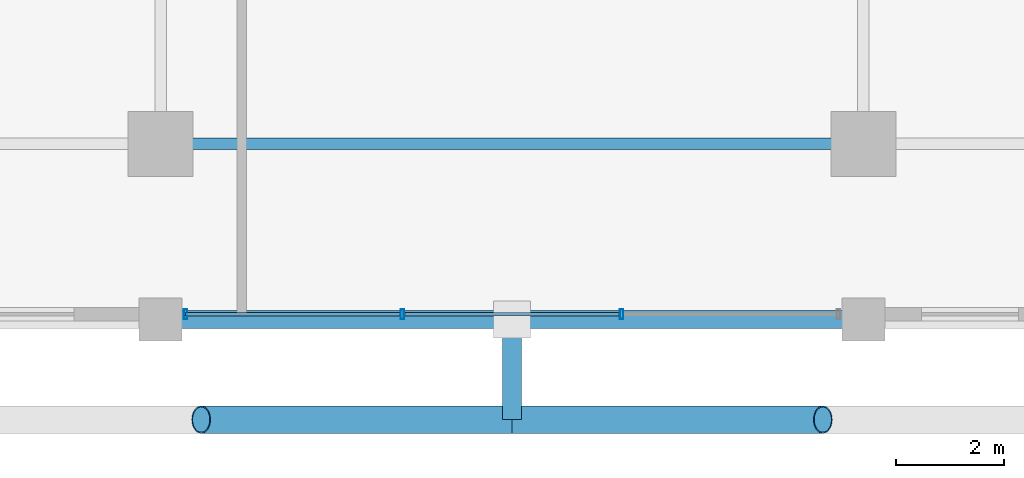
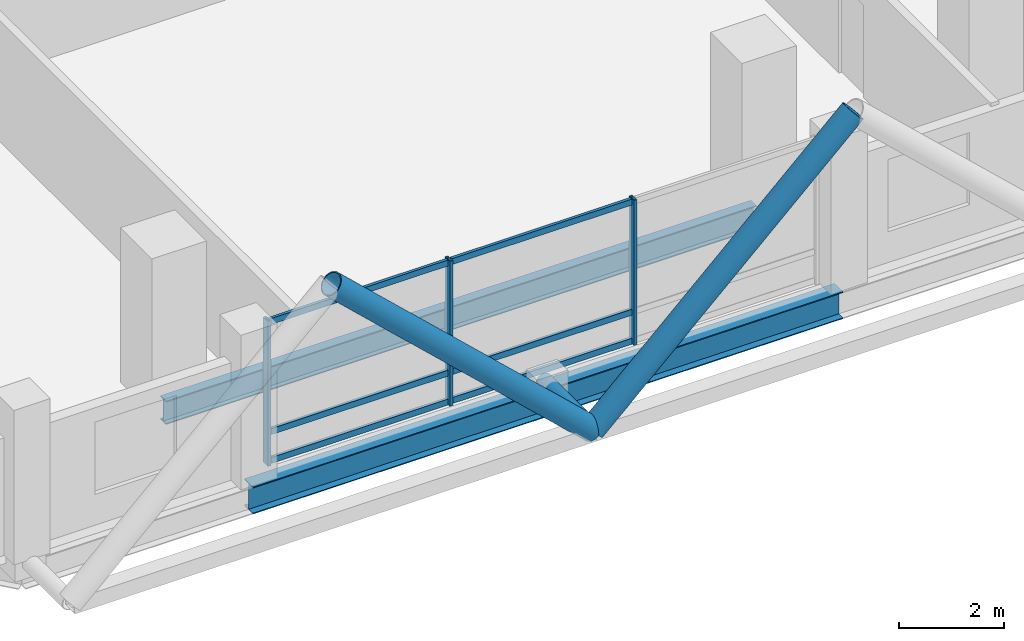
# One storey, part 2 of 24: 12 members, 2 beams, 1 element without a shape of its own.
"""IFC4 building model written with IfcOpenShell, lengths in metres."""

from ifc_helpers import new_model, si_unit, direction, frame, origin, origin_2d, place, context, subcontext, project, spatial, hollow_rectangle, hollow_circle, i_section, extrude, material, layer, layer_set, material_profile, profile_set, type_object, element, aggregate, save


model = new_model("IFC4")

# Units and contexts
model_context = context("Model", 3, precision=1e-05, world=origin(), true_north=direction((0.0, 1.0)))
body_context = subcontext(model_context, "Body", "Model", "MODEL_VIEW")
ifc_project = project(units=[si_unit("LENGTHUNIT", "METRE"), si_unit("AREAUNIT", "SQUARE_METRE"), si_unit("VOLUMEUNIT", "CUBIC_METRE"), si_unit("PLANEANGLEUNIT", "RADIAN"), si_unit("MASSUNIT", "GRAM", prefix="KILO")], contexts=[model_context])

# Site, building, storey
site_placement = place(None, origin())
site = spatial("IfcSite", under=ifc_project, at=site_placement, CompositionType="ELEMENT")
building_placement = place(site_placement, origin())
building = spatial("IfcBuilding", under=site, at=building_placement, Name="Barlavira Tower and Art Museum", CompositionType="ELEMENT")
storey_placement = place(building_placement, frame((0.0, 0.0, 109.800048828125)))
storey = spatial("IfcBuildingStorey", under=building, at=storey_placement, Name="L27", CompositionType="ELEMENT", Elevation=109.800048828125)

# Curtain wall, members
ifc_material_1 = material(Name="Low-iron coastal laminated glass", Category="glass")
ifc_layer = layer(ifc_material_1, 0.18994140625, Name="Low-iron coastal laminated glass")
ifc_layer_set = layer_set([ifc_layer], Name="Low-iron coastal laminated glass")
curtain_wall_type = type_object("IfcCurtainWallType", Name="Pale-Metal Unitised Curtain Wall Zone 2", PredefinedType="NOTDEFINED", material=ifc_layer_set)
curtain_wall_placement = place(storey_placement, origin())
curtain_wall = element("IfcCurtainWall", 1, at=curtain_wall_placement, inside=storey, type_object=curtain_wall_type, Name="L27 Curtain Wall CW2-L27-S-B3", PredefinedType="NOTDEFINED")
ifc_material_2 = material(Name="Pale anodised aluminium", Category="aluminium")
ifc_material_profile_1 = material_profile(ifc_material_2, hollow_rectangle(XDim=0.06494140625, YDim=0.179931640625, WallThickness=0.00390625, at=origin_2d()), Name="ALU-MULL 65x180x4")
ifc_profile_set_1 = profile_set([ifc_material_profile_1], Name="Pale anodised aluminium")
member_type_1 = type_object("IfcMemberType", Name="Curtain Wall Pale-Metal Mullion 65x180", PredefinedType="MULLION", material=ifc_profile_set_1)
member_1_placement = place(storey_placement, frame((-6.034912109375, -23.14990234375, 0.0), z_axis=(0.0, 0.0, 1.0), x_axis=(1.0, 0.0, 0.0)))
member_1 = element("IfcMember", 2, at=member_1_placement, type_object=member_type_1, Name="CW2-L27-S-B3 Mullion 0", PredefinedType="MULLION", context=body_context, shape_type="SweptSolid", body=[
    extrude(hollow_rectangle(XDim=0.06494140625, YDim=0.179931640625, WallThickness=0.00390625, at=origin_2d()), origin(), (0.0, 0.0, 1.0), 3.3798828125),
])
member_2_placement = place(storey_placement, frame((-2.026611328125, -23.14990234375, 0.0), z_axis=(0.0, 0.0, 1.0), x_axis=(1.0, 0.0, 0.0)))
member_2 = element("IfcMember", 3, at=member_2_placement, type_object=member_type_1, Name="CW2-L27-S-B3 Mullion 1", PredefinedType="MULLION", context=body_context, shape_type="SweptSolid", body=[
    extrude(hollow_rectangle(XDim=0.06494140625, YDim=0.179931640625, WallThickness=0.00390625, at=origin_2d()), origin(), (0.0, 0.0, 1.0), 3.3798828125),
])
member_3_placement = place(storey_placement, frame((2.026611328125, -23.14990234375, 0.0), z_axis=(0.0, 0.0, 1.0), x_axis=(1.0, 0.0, 0.0)))
member_3 = element("IfcMember", 4, at=member_3_placement, type_object=member_type_1, Name="CW2-L27-S-B3 Mullion 2", PredefinedType="MULLION", context=body_context, shape_type="SweptSolid", body=[
    extrude(hollow_rectangle(XDim=0.06494140625, YDim=0.179931640625, WallThickness=0.00390625, at=origin_2d()), origin(), (0.0, 0.0, 1.0), 3.3798828125),
])
ifc_material_profile_2 = material_profile(ifc_material_2, hollow_rectangle(XDim=0.06494140625, YDim=0.139892578125, WallThickness=0.00390625, at=origin_2d()), Name="ALU-TRAN 65x140x4")
ifc_profile_set_2 = profile_set([ifc_material_profile_2], Name="Pale anodised aluminium")
member_type_2 = type_object("IfcMemberType", Name="Curtain Wall Pale-Metal Transom 65x140", PredefinedType="USERDEFINED", material=ifc_profile_set_2)
member_4_placement = place(storey_placement, frame((-6.034912109375, -23.14990234375, 0.070068359375), z_axis=(1.0, 0.0, 0.0), x_axis=(0.0, 1.0, 0.0)))
member_4 = element("IfcMember", 5, at=member_4_placement, type_object=member_type_2, Name="CW2-L27-S-B3 Transom 0.1", ObjectType="TRANSOM", PredefinedType="USERDEFINED", context=body_context, shape_type="SweptSolid", body=[
    extrude(hollow_rectangle(XDim=0.06494140625, YDim=0.139892578125, WallThickness=0.00390625, at=origin_2d()), origin(), (0.0, 0.0, 1.0), 3.963134765625),
])
member_5_placement = place(storey_placement, frame((-6.034912109375, -23.14990234375, 0.743896484375), z_axis=(1.0, 0.0, 0.0), x_axis=(0.0, 1.0, 0.0)))
member_5 = element("IfcMember", 6, at=member_5_placement, type_object=member_type_2, Name="CW2-L27-S-B3 Transom 0.2", ObjectType="TRANSOM", PredefinedType="USERDEFINED", context=body_context, shape_type="SweptSolid", body=[
    extrude(hollow_rectangle(XDim=0.06494140625, YDim=0.139892578125, WallThickness=0.00390625, at=origin_2d()), origin(), (0.0, 0.0, 1.0), 3.963134765625),
])
member_6_placement = place(storey_placement, frame((-6.034912109375, -23.14990234375, 3.31005859375), z_axis=(1.0, 0.0, 0.0), x_axis=(0.0, 1.0, 0.0)))
member_6 = element("IfcMember", 7, at=member_6_placement, type_object=member_type_2, Name="CW2-L27-S-B3 Transom 0.3", ObjectType="TRANSOM", PredefinedType="USERDEFINED", context=body_context, shape_type="SweptSolid", body=[
    extrude(hollow_rectangle(XDim=0.06494140625, YDim=0.139892578125, WallThickness=0.00390625, at=origin_2d()), origin(), (0.0, 0.0, 1.0), 3.963134765625),
])
member_7_placement = place(storey_placement, frame((-1.981689453125, -23.14990234375, 0.070068359375), z_axis=(1.0, 0.0, 0.0), x_axis=(0.0, 1.0, 0.0)))
member_7 = element("IfcMember", 8, at=member_7_placement, type_object=member_type_2, Name="CW2-L27-S-B3 Transom 1.1", ObjectType="TRANSOM", PredefinedType="USERDEFINED", context=body_context, shape_type="SweptSolid", body=[
    extrude(hollow_rectangle(XDim=0.06494140625, YDim=0.139892578125, WallThickness=0.00390625, at=origin_2d()), origin(), (0.0, 0.0, 1.0), 3.96337890625),
])
member_8_placement = place(storey_placement, frame((-1.981689453125, -23.14990234375, 0.743896484375), z_axis=(1.0, 0.0, 0.0), x_axis=(0.0, 1.0, 0.0)))
member_8 = element("IfcMember", 9, at=member_8_placement, type_object=member_type_2, Name="CW2-L27-S-B3 Transom 1.2", ObjectType="TRANSOM", PredefinedType="USERDEFINED", context=body_context, shape_type="SweptSolid", body=[
    extrude(hollow_rectangle(XDim=0.06494140625, YDim=0.139892578125, WallThickness=0.00390625, at=origin_2d()), origin(), (0.0, 0.0, 1.0), 3.96337890625),
])
member_9_placement = place(storey_placement, frame((-1.981689453125, -23.14990234375, 3.31005859375), z_axis=(1.0, 0.0, 0.0), x_axis=(0.0, 1.0, 0.0)))
member_9 = element("IfcMember", 10, at=member_9_placement, type_object=member_type_2, Name="CW2-L27-S-B3 Transom 1.3", ObjectType="TRANSOM", PredefinedType="USERDEFINED", context=body_context, shape_type="SweptSolid", body=[
    extrude(hollow_rectangle(XDim=0.06494140625, YDim=0.139892578125, WallThickness=0.00390625, at=origin_2d()), origin(), (0.0, 0.0, 1.0), 3.96337890625),
])
aggregate(curtain_wall, [member_1, member_2, member_3, member_4, member_5, member_6, member_7, member_8, member_9])

# Members
ifc_material_3 = material(Name="Steel S355", Category="steel")
ifc_material_profile_3 = material_profile(ifc_material_3, hollow_circle(Radius=0.25390625, WallThickness=0.022216796875, at=origin_2d()), Name="CHS 508.0x22.2")
ifc_profile_set_3 = profile_set([ifc_material_profile_3], Name="Steel S355")
member_type_3 = type_object("IfcMemberType", Name="Pale-Metal Exoskeleton Diagrid Tube CHS 508x22 Steel S355", PredefinedType="BRACE", material=ifc_profile_set_3)
for number, where, z_axis, x_axis, name in (
    (11, (0.0, -25.10009765625, -0.1201171875), (-0.728934650808, 0.0, 0.684583285548), (0.0, -1.0, 0.0), "L27 Exoskeleton Diagrid Tube S"),
    (12, (0.0, -25.10009765625, -0.1201171875), (0.728934650808, 0.0, 0.684583285548), (0.0, 1.0, 0.0), "L27 Exoskeleton Diagrid Tube S"),
):
    element("IfcMember", number, at=place(storey_placement, frame(where, z_axis=z_axis, x_axis=x_axis)), inside=storey, type_object=member_type_3, Name=name, PredefinedType="BRACE", context=body_context, shape_type="SweptSolid", body=[
        extrude(hollow_circle(Radius=0.25390625, WallThickness=0.022216796875, at=origin_2d()), origin(), (0.0, 0.0, 1.0), 7.88818359375),
    ])
ifc_material_profile_4 = material_profile(ifc_material_3, hollow_circle(Radius=0.177734375, WallThickness=0.01611328125, at=origin_2d()), Name="CHS 355.6x16.0")
ifc_profile_set_4 = profile_set([ifc_material_profile_4], Name="Steel S355")
member_type_4 = type_object("IfcMemberType", Name="Pale-Metal Exoskeleton Tie Strut CHS 356x16 Steel S355", PredefinedType="STRUT", material=ifc_profile_set_4)
member_10_placement = place(storey_placement, frame((0.0, -25.10009765625, -0.1201171875), z_axis=(0.0, 1.0, 0.0), x_axis=(-1.0, 0.0, 0.0)))
element("IfcMember", 13, at=member_10_placement, inside=storey, type_object=member_type_4, Name="L27 Exoskeleton Tie Strut S2", PredefinedType="STRUT", context=body_context, shape_type="SweptSolid", body=[
    extrude(hollow_circle(Radius=0.177734375, WallThickness=0.01611328125, at=origin_2d()), origin(), (0.0, 0.0, 1.0), 1.85009765625),
])

# Beams
ifc_material_profile_5 = material_profile(ifc_material_3, i_section(OverallWidth=0.327880859375, OverallDepth=0.62890625, WebThickness=0.013916015625, FlangeThickness=0.021484375, at=origin_2d()), Name="W610x174.0")
ifc_profile_set_5 = profile_set([ifc_material_profile_5], Name="Steel S355")
beam_type_1 = type_object("IfcBeamType", Name="Perimeter Spandrel Edge Beam W610x174 Steel S355", PredefinedType="SPANDREL", material=ifc_profile_set_5)
beam_1_placement = place(storey_placement, frame((-6.5, -23.25, -0.53466796875), z_axis=(1.0, 0.0, 0.0), x_axis=(0.0, 1.0, 0.0)))
element("IfcBeam", 14, at=beam_1_placement, inside=storey, type_object=beam_type_1, Name="L27 Spandrel 2", PredefinedType="SPANDREL", context=body_context, shape_type="SweptSolid", body=[
    extrude(i_section(OverallWidth=0.327880859375, OverallDepth=0.62890625, WebThickness=0.013916015625, FlangeThickness=0.021484375, at=origin_2d()), origin(), (0.0, 0.0, 1.0), 13.0),
])
ifc_material_profile_6 = material_profile(ifc_material_3, i_section(OverallWidth=0.214111328125, OverallDepth=0.549072265625, WebThickness=0.0146484375, FlangeThickness=0.023681640625, at=origin_2d()), Name="W530x138.0")
ifc_profile_set_6 = profile_set([ifc_material_profile_6], Name="Steel S355")
beam_type_2 = type_object("IfcBeamType", Name="Zone 1 Primary Floor Girder W530x138 Steel S355", PredefinedType="BEAM", material=ifc_profile_set_6)
beam_2_placement = place(storey_placement, frame((-6.5, -20.0, -0.49462890625), z_axis=(1.0, 0.0, 0.0), x_axis=(0.0, 1.0, 0.0)))
element("IfcBeam", 15, at=beam_2_placement, inside=storey, type_object=beam_type_2, Name="L27 Girder M-S2", PredefinedType="BEAM", context=body_context, shape_type="SweptSolid", body=[
    extrude(i_section(OverallWidth=0.214111328125, OverallDepth=0.549072265625, WebThickness=0.0146484375, FlangeThickness=0.023681640625, at=origin_2d()), origin(), (0.0, 0.0, 1.0), 13.0),
])

save(model, "model.ifc")
